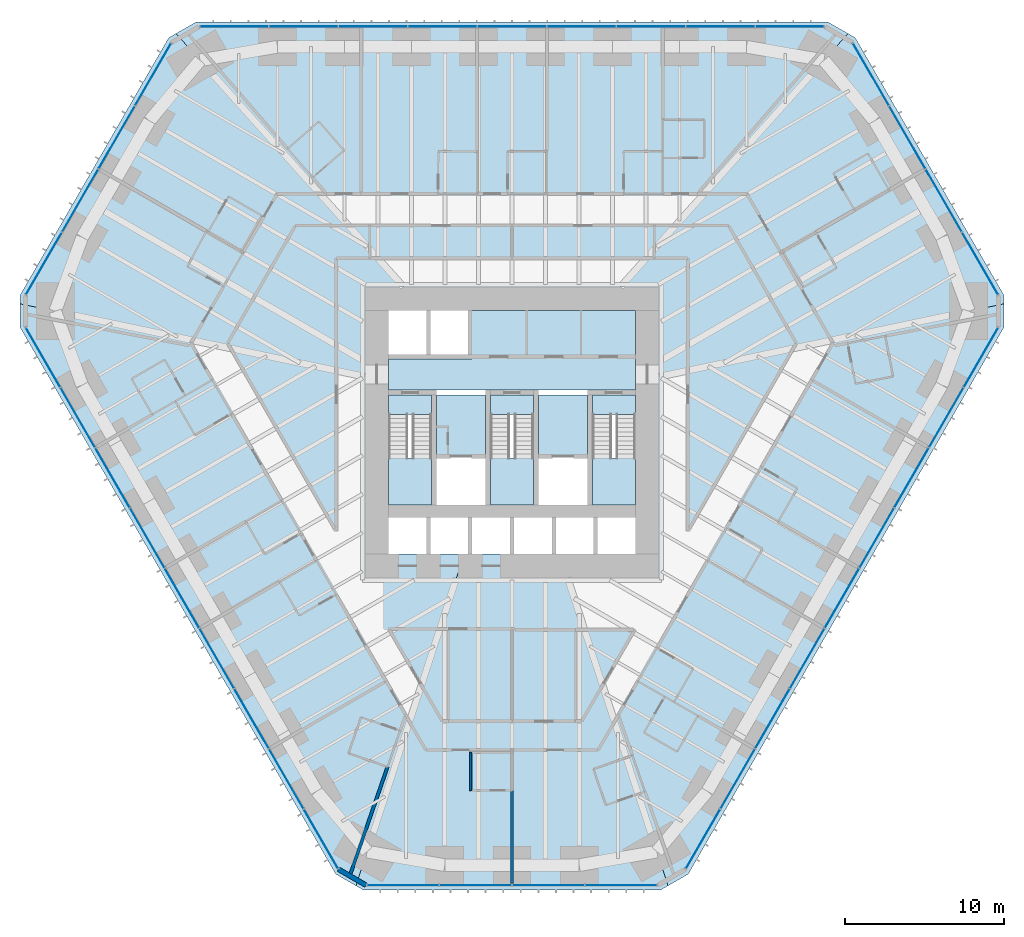
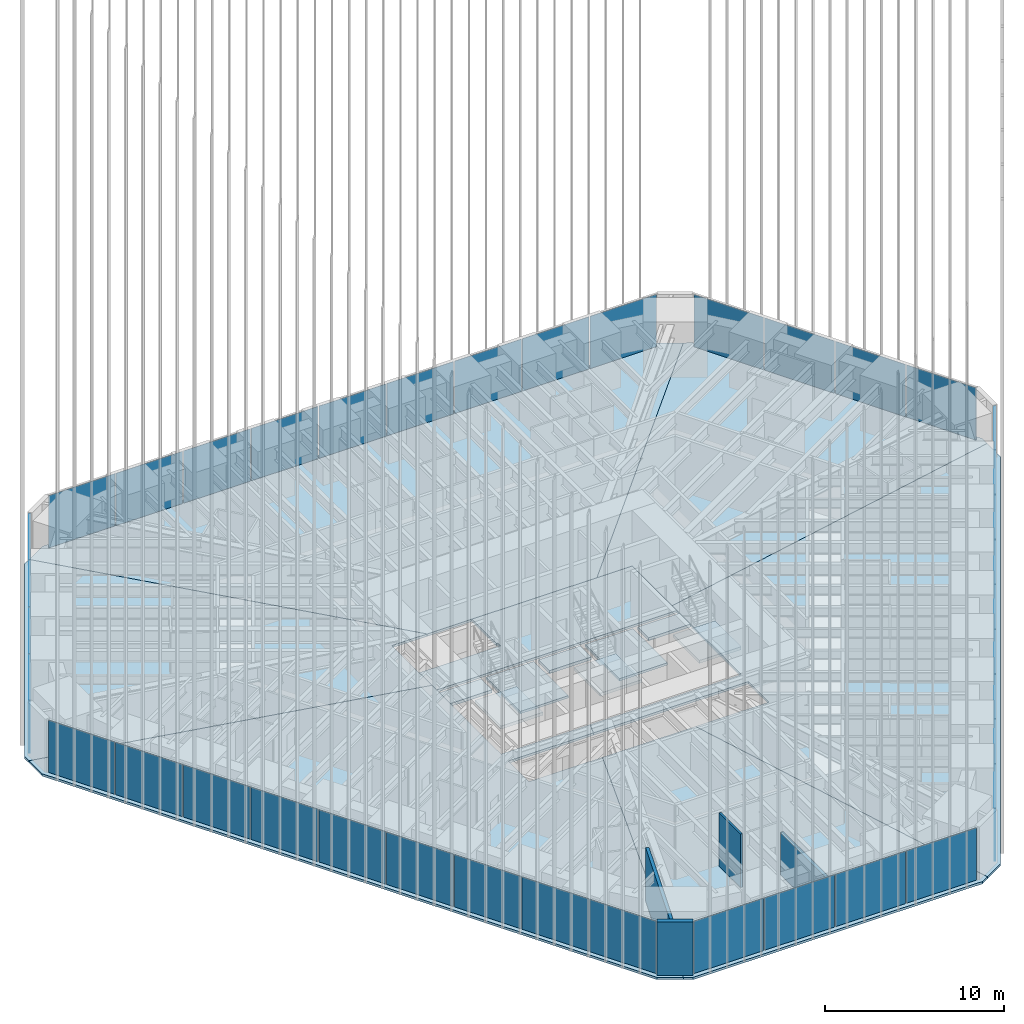
# One storey, part 249 of 256: 39 plates, 15 slabs, 4 walls, 9 elements without a shape of their own.
"""IFC4 building model written with IfcOpenShell, lengths in metres."""

from ifc_helpers import new_model, si_unit, direction, frame, frame_2d, origin, origin_2d, place, context, subcontext, project, spatial, polyline, rectangle, outline, extrude, material, layer, layer_set, type_object, element, aggregate, save


model = new_model("IFC4")

# Units and contexts
model_context = context("Model", 3, precision=1e-05, world=origin(), true_north=direction((0.0, 1.0)))
body_context = subcontext(model_context, "Body", "Model", "MODEL_VIEW")
ifc_project = project(units=[si_unit("LENGTHUNIT", "METRE"), si_unit("AREAUNIT", "SQUARE_METRE"), si_unit("VOLUMEUNIT", "CUBIC_METRE"), si_unit("PLANEANGLEUNIT", "RADIAN"), si_unit("MASSUNIT", "GRAM", prefix="KILO")], contexts=[model_context])

# Site, building, storey
site_placement = place(None, origin())
site = spatial("IfcSite", under=ifc_project, at=site_placement, CompositionType="ELEMENT")
building_placement = place(site_placement, origin())
building = spatial("IfcBuilding", under=site, at=building_placement, Name="Sandreach Pilgrim Tower", CompositionType="ELEMENT")
storey_placement = place(building_placement, frame((0.0, 0.0, 23.0)))
storey = spatial("IfcBuildingStorey", under=building, at=storey_placement, Name="L04", CompositionType="ELEMENT", Elevation=23.0)

# Curtain wall, plates
ifc_material_1 = material(Name="Aluminium framed curtain wall", Category="aluminium")
curtain_wall_type = type_object("IfcCurtainWallType", Name="Hostel tower curtain wall", PredefinedType="NOTDEFINED", material=ifc_material_1)
curtain_wall_1_placement = place(storey_placement, origin())
curtain_wall_1 = element("IfcCurtainWall", 1, at=curtain_wall_1_placement, inside=storey, type_object=curtain_wall_type, Name="CW-1 L04 N", PredefinedType="NOTDEFINED")
ifc_material_2 = material(Name="Insulating glass unit 6 heat-strengthened + 12 argon + 6 heat-strengthened", Category="glass")
ifc_layer_1 = layer(ifc_material_2, 0.02392578125)
ifc_layer_set_1 = layer_set([ifc_layer_1], Name="CW-1 panel")
plate_type = type_object("IfcPlateType", Name="CW-1 panel", PredefinedType="CURTAIN_PANEL", material=ifc_layer_set_1)
plate_1_placement = place(storey_placement, frame((-17.469970703125, 23.94873046875, 0.0), z_axis=(0.0, 0.0, 1.0), x_axis=(1.0, 0.0, 0.0)))
plate_1 = element("IfcPlate", 2, at=plate_1_placement, type_object=plate_type, Name="CW-1 panel 1", PredefinedType="CURTAIN_PANEL", context=body_context, shape_type="SweptSolid", body=[
    extrude(rectangle(XDim=4.274169921875, YDim=0.02392578125, at=origin_2d()), origin(), (0.0, 0.0, 1.0), 3.570068359375),
])
plate_2_placement = place(storey_placement, frame((-13.11474609375, 23.94873046875, 0.0), z_axis=(0.0, 0.0, 1.0), x_axis=(1.0, 0.0, 0.0)))
plate_2 = element("IfcPlate", 3, at=plate_2_placement, type_object=plate_type, Name="CW-1 panel 2", PredefinedType="CURTAIN_PANEL", context=body_context, shape_type="SweptSolid", body=[
    extrude(rectangle(XDim=4.306640625, YDim=0.02392578125, at=origin_2d()), origin(), (0.0, 0.0, 1.0), 3.570068359375),
])
plate_3_placement = place(storey_placement, frame((-8.7431640625, 23.94873046875, 0.0), z_axis=(0.0, 0.0, 1.0), x_axis=(1.0, 0.0, 0.0)))
plate_3 = element("IfcPlate", 4, at=plate_3_placement, type_object=plate_type, Name="CW-1 panel 3", PredefinedType="CURTAIN_PANEL", context=body_context, shape_type="SweptSolid", body=[
    extrude(rectangle(XDim=4.306640625, YDim=0.02392578125, at=origin_2d()), origin(), (0.0, 0.0, 1.0), 3.570068359375),
])
plate_4_placement = place(storey_placement, frame((-4.37158203125, 23.94873046875, 0.0), z_axis=(0.0, 0.0, 1.0), x_axis=(1.0, 0.0, 0.0)))
plate_4 = element("IfcPlate", 5, at=plate_4_placement, type_object=plate_type, Name="CW-1 panel 4", PredefinedType="CURTAIN_PANEL", context=body_context, shape_type="SweptSolid", body=[
    extrude(rectangle(XDim=4.306640625, YDim=0.02392578125, at=origin_2d()), origin(), (0.0, 0.0, 1.0), 3.570068359375),
])
plate_5_placement = place(storey_placement, frame((0.0, 23.94873046875, 0.0), z_axis=(0.0, 0.0, 1.0), x_axis=(1.0, 0.0, 0.0)))
plate_5 = element("IfcPlate", 6, at=plate_5_placement, type_object=plate_type, Name="CW-1 panel 5", PredefinedType="CURTAIN_PANEL", context=body_context, shape_type="SweptSolid", body=[
    extrude(rectangle(XDim=4.306640625, YDim=0.02392578125, at=origin_2d()), origin(), (0.0, 0.0, 1.0), 3.570068359375),
])
plate_6_placement = place(storey_placement, frame((4.37158203125, 23.94873046875, 0.0), z_axis=(0.0, 0.0, 1.0), x_axis=(1.0, 0.0, 0.0)))
plate_6 = element("IfcPlate", 7, at=plate_6_placement, type_object=plate_type, Name="CW-1 panel 6", PredefinedType="CURTAIN_PANEL", context=body_context, shape_type="SweptSolid", body=[
    extrude(rectangle(XDim=4.306640625, YDim=0.02392578125, at=origin_2d()), origin(), (0.0, 0.0, 1.0), 3.570068359375),
])
plate_7_placement = place(storey_placement, frame((8.7431640625, 23.94873046875, 0.0), z_axis=(0.0, 0.0, 1.0), x_axis=(1.0, 0.0, 0.0)))
plate_7 = element("IfcPlate", 8, at=plate_7_placement, type_object=plate_type, Name="CW-1 panel 7", PredefinedType="CURTAIN_PANEL", context=body_context, shape_type="SweptSolid", body=[
    extrude(rectangle(XDim=4.306640625, YDim=0.02392578125, at=origin_2d()), origin(), (0.0, 0.0, 1.0), 3.570068359375),
])
plate_8_placement = place(storey_placement, frame((13.11474609375, 23.94873046875, 0.0), z_axis=(0.0, 0.0, 1.0), x_axis=(1.0, 0.0, 0.0)))
plate_8 = element("IfcPlate", 9, at=plate_8_placement, type_object=plate_type, Name="CW-1 panel 8", PredefinedType="CURTAIN_PANEL", context=body_context, shape_type="SweptSolid", body=[
    extrude(rectangle(XDim=4.306640625, YDim=0.02392578125, at=origin_2d()), origin(), (0.0, 0.0, 1.0), 3.570068359375),
])
plate_9_placement = place(storey_placement, frame((17.469970703125, 23.94873046875, 0.0), z_axis=(0.0, 0.0, 1.0), x_axis=(1.0, 0.0, 0.0)))
plate_9 = element("IfcPlate", 10, at=plate_9_placement, type_object=plate_type, Name="CW-1 panel 9", PredefinedType="CURTAIN_PANEL", context=body_context, shape_type="SweptSolid", body=[
    extrude(rectangle(XDim=4.274169921875, YDim=0.02392578125, at=origin_2d()), origin(), (0.0, 0.0, 1.0), 3.570068359375),
])
aggregate(curtain_wall_1, [plate_1, plate_2, plate_3, plate_4, plate_5, plate_6, plate_7, plate_8, plate_9])

curtain_wall_2_placement = place(storey_placement, origin())
curtain_wall_2 = element("IfcCurtainWall", 11, at=curtain_wall_2_placement, inside=storey, type_object=curtain_wall_type, Name="CW-1 L04 NE", PredefinedType="NOTDEFINED")
plate_10_placement = place(storey_placement, frame((22.558837890625, 20.94873046875, 0.0), z_axis=(0.0, 0.0, 1.0), x_axis=(0.5, -0.866025403784, 0.0)))
plate_10 = element("IfcPlate", 12, at=plate_10_placement, type_object=plate_type, Name="CW-1 panel 1", PredefinedType="CURTAIN_PANEL", context=body_context, shape_type="SweptSolid", body=[
    extrude(rectangle(XDim=4.488525390625, YDim=0.02392578125, at=origin_2d()), origin(), (0.0, 0.0, 1.0), 3.570068359375),
])
plate_11_placement = place(storey_placement, frame((24.84375, 16.9912109375, 0.0), z_axis=(0.0, 0.0, 1.0), x_axis=(0.5, -0.866025403784, 0.0)))
plate_11 = element("IfcPlate", 13, at=plate_11_placement, type_object=plate_type, Name="CW-1 panel 2", PredefinedType="CURTAIN_PANEL", context=body_context, shape_type="SweptSolid", body=[
    extrude(rectangle(XDim=4.52099609375, YDim=0.02392578125, at=origin_2d()), origin(), (0.0, 0.0, 1.0), 3.570068359375),
])
plate_12_placement = place(storey_placement, frame((27.13671875, 13.01953125, 0.0), z_axis=(0.0, 0.0, 1.0), x_axis=(0.5, -0.866025403784, 0.0)))
plate_12 = element("IfcPlate", 14, at=plate_12_placement, type_object=plate_type, Name="CW-1 panel 3", PredefinedType="CURTAIN_PANEL", context=body_context, shape_type="SweptSolid", body=[
    extrude(rectangle(XDim=4.52099609375, YDim=0.02392578125, at=origin_2d()), origin(), (0.0, 0.0, 1.0), 3.570068359375),
])
plate_13_placement = place(storey_placement, frame((29.421630859375, 9.06201171875, 0.0), z_axis=(0.0, 0.0, 1.0), x_axis=(0.5, -0.866025403784, 0.0)))
plate_13 = element("IfcPlate", 15, at=plate_13_placement, type_object=plate_type, Name="CW-1 panel 4", PredefinedType="CURTAIN_PANEL", context=body_context, shape_type="SweptSolid", body=[
    extrude(rectangle(XDim=4.488525390625, YDim=0.02392578125, at=origin_2d()), origin(), (0.0, 0.0, 1.0), 3.570068359375),
])
aggregate(curtain_wall_2, [plate_10, plate_11, plate_12, plate_13])

curtain_wall_3_placement = place(storey_placement, origin())
curtain_wall_3 = element("IfcCurtainWall", 16, at=curtain_wall_3_placement, inside=storey, type_object=curtain_wall_type, Name="CW-1 L04 SE", PredefinedType="NOTDEFINED")
plate_14_placement = place(storey_placement, frame((29.475341796875, 3.1552734375, 0.0), z_axis=(0.0, 0.0, 1.0), x_axis=(-0.5, -0.866025403784, 0.0)))
plate_14 = element("IfcPlate", 17, at=plate_14_placement, type_object=plate_type, Name="CW-1 panel 1", PredefinedType="CURTAIN_PANEL", context=body_context, shape_type="SweptSolid", body=[
    extrude(rectangle(XDim=4.274169921875, YDim=0.02392578125, at=origin_2d()), origin(), (0.0, 0.0, 1.0), 3.570068359375),
])
plate_15_placement = place(storey_placement, frame((27.297607421875, -0.61669921875, 0.0), z_axis=(0.0, 0.0, 1.0), x_axis=(-0.5, -0.866025403784, 0.0)))
plate_15 = element("IfcPlate", 18, at=plate_15_placement, type_object=plate_type, Name="CW-1 panel 2", PredefinedType="CURTAIN_PANEL", context=body_context, shape_type="SweptSolid", body=[
    extrude(rectangle(XDim=4.306640625, YDim=0.02392578125, at=origin_2d()), origin(), (0.0, 0.0, 1.0), 3.570068359375),
])
plate_16_placement = place(storey_placement, frame((25.11181640625, -4.402587890625, 0.0), z_axis=(0.0, 0.0, 1.0), x_axis=(-0.5, -0.866025403784, 0.0)))
plate_16 = element("IfcPlate", 19, at=plate_16_placement, type_object=plate_type, Name="CW-1 panel 3", PredefinedType="CURTAIN_PANEL", context=body_context, shape_type="SweptSolid", body=[
    extrude(rectangle(XDim=4.306640625, YDim=0.02392578125, at=origin_2d()), origin(), (0.0, 0.0, 1.0), 3.570068359375),
])
plate_17_placement = place(storey_placement, frame((22.926025390625, -8.1884765625, 0.0), z_axis=(0.0, 0.0, 1.0), x_axis=(-0.5, -0.866025403784, 0.0)))
plate_17 = element("IfcPlate", 20, at=plate_17_placement, type_object=plate_type, Name="CW-1 panel 4", PredefinedType="CURTAIN_PANEL", context=body_context, shape_type="SweptSolid", body=[
    extrude(rectangle(XDim=4.306640625, YDim=0.02392578125, at=origin_2d()), origin(), (0.0, 0.0, 1.0), 3.570068359375),
])
plate_18_placement = place(storey_placement, frame((20.740234375, -11.974365234375, 0.0), z_axis=(0.0, 0.0, 1.0), x_axis=(-0.5, -0.866025403784, 0.0)))
plate_18 = element("IfcPlate", 21, at=plate_18_placement, type_object=plate_type, Name="CW-1 panel 5", PredefinedType="CURTAIN_PANEL", context=body_context, shape_type="SweptSolid", body=[
    extrude(rectangle(XDim=4.306640625, YDim=0.02392578125, at=origin_2d()), origin(), (0.0, 0.0, 1.0), 3.570068359375),
])
plate_19_placement = place(storey_placement, frame((18.554443359375, -15.76025390625, 0.0), z_axis=(0.0, 0.0, 1.0), x_axis=(-0.5, -0.866025403784, 0.0)))
plate_19 = element("IfcPlate", 22, at=plate_19_placement, type_object=plate_type, Name="CW-1 panel 6", PredefinedType="CURTAIN_PANEL", context=body_context, shape_type="SweptSolid", body=[
    extrude(rectangle(XDim=4.306640625, YDim=0.02392578125, at=origin_2d()), origin(), (0.0, 0.0, 1.0), 3.570068359375),
])
plate_20_placement = place(storey_placement, frame((16.36865234375, -19.546142578125, 0.0), z_axis=(0.0, 0.0, 1.0), x_axis=(-0.5, -0.866025403784, 0.0)))
plate_20 = element("IfcPlate", 23, at=plate_20_placement, type_object=plate_type, Name="CW-1 panel 7", PredefinedType="CURTAIN_PANEL", context=body_context, shape_type="SweptSolid", body=[
    extrude(rectangle(XDim=4.306640625, YDim=0.02392578125, at=origin_2d()), origin(), (0.0, 0.0, 1.0), 3.570068359375),
])
plate_21_placement = place(storey_placement, frame((14.182861328125, -23.33203125, 0.0), z_axis=(0.0, 0.0, 1.0), x_axis=(-0.5, -0.866025403784, 0.0)))
plate_21 = element("IfcPlate", 24, at=plate_21_placement, type_object=plate_type, Name="CW-1 panel 8", PredefinedType="CURTAIN_PANEL", context=body_context, shape_type="SweptSolid", body=[
    extrude(rectangle(XDim=4.306640625, YDim=0.02392578125, at=origin_2d()), origin(), (0.0, 0.0, 1.0), 3.570068359375),
])
plate_22_placement = place(storey_placement, frame((12.005126953125, -27.103759765625, 0.0), z_axis=(0.0, 0.0, 1.0), x_axis=(-0.5, -0.866025403784, 0.0)))
plate_22 = element("IfcPlate", 25, at=plate_22_placement, type_object=plate_type, Name="CW-1 panel 9", PredefinedType="CURTAIN_PANEL", context=body_context, shape_type="SweptSolid", body=[
    extrude(rectangle(XDim=4.274169921875, YDim=0.02392578125, at=origin_2d()), origin(), (0.0, 0.0, 1.0), 3.570068359375),
])
aggregate(curtain_wall_3, [plate_14, plate_15, plate_16, plate_17, plate_18, plate_19, plate_20, plate_21, plate_22])

curtain_wall_4_placement = place(storey_placement, origin())
curtain_wall_4 = element("IfcCurtainWall", 26, at=curtain_wall_4_placement, inside=storey, type_object=curtain_wall_type, Name="CW-1 L04 S", PredefinedType="NOTDEFINED")
plate_23_placement = place(storey_placement, frame((6.86279296875, -30.010986328125, 0.0), z_axis=(0.0, 0.0, 1.0), x_axis=(-1.0, 0.0, 0.0)))
plate_23 = element("IfcPlate", 27, at=plate_23_placement, type_object=plate_type, Name="CW-1 panel 1", PredefinedType="CURTAIN_PANEL", context=body_context, shape_type="SweptSolid", body=[
    extrude(rectangle(XDim=4.488525390625, YDim=0.02392578125, at=origin_2d()), origin(), (0.0, 0.0, 1.0), 3.570068359375),
])
plate_24_placement = place(storey_placement, frame((2.29296875, -30.010986328125, 0.0), z_axis=(0.0, 0.0, 1.0), x_axis=(-1.0, 0.0, 0.0)))
plate_24 = element("IfcPlate", 28, at=plate_24_placement, type_object=plate_type, Name="CW-1 panel 2", PredefinedType="CURTAIN_PANEL", context=body_context, shape_type="SweptSolid", body=[
    extrude(rectangle(XDim=4.52099609375, YDim=0.02392578125, at=origin_2d()), origin(), (0.0, 0.0, 1.0), 3.570068359375),
])
plate_25_placement = place(storey_placement, frame((-2.29296875, -30.010986328125, 0.0), z_axis=(0.0, 0.0, 1.0), x_axis=(-1.0, 0.0, 0.0)))
plate_25 = element("IfcPlate", 29, at=plate_25_placement, type_object=plate_type, Name="CW-1 panel 3", PredefinedType="CURTAIN_PANEL", context=body_context, shape_type="SweptSolid", body=[
    extrude(rectangle(XDim=4.52099609375, YDim=0.02392578125, at=origin_2d()), origin(), (0.0, 0.0, 1.0), 3.570068359375),
])
plate_26_placement = place(storey_placement, frame((-6.86279296875, -30.010986328125, 0.0), z_axis=(0.0, 0.0, 1.0), x_axis=(-1.0, 0.0, 0.0)))
plate_26 = element("IfcPlate", 30, at=plate_26_placement, type_object=plate_type, Name="CW-1 panel 4", PredefinedType="CURTAIN_PANEL", context=body_context, shape_type="SweptSolid", body=[
    extrude(rectangle(XDim=4.488525390625, YDim=0.02392578125, at=origin_2d()), origin(), (0.0, 0.0, 1.0), 3.570068359375),
])
aggregate(curtain_wall_4, [plate_23, plate_24, plate_25, plate_26])

curtain_wall_5_placement = place(storey_placement, origin())
curtain_wall_5 = element("IfcCurtainWall", 31, at=curtain_wall_5_placement, inside=storey, type_object=curtain_wall_type, Name="CW-1 L04 SW", PredefinedType="NOTDEFINED")
plate_27_placement = place(storey_placement, frame((-12.005126953125, -27.103759765625, 0.0), z_axis=(0.0, 0.0, 1.0), x_axis=(-0.5, 0.866025403784, 0.0)))
plate_27 = element("IfcPlate", 32, at=plate_27_placement, type_object=plate_type, Name="CW-1 panel 1", PredefinedType="CURTAIN_PANEL", context=body_context, shape_type="SweptSolid", body=[
    extrude(rectangle(XDim=4.274169921875, YDim=0.02392578125, at=origin_2d()), origin(), (0.0, 0.0, 1.0), 3.570068359375),
])
plate_28_placement = place(storey_placement, frame((-14.182861328125, -23.33203125, 0.0), z_axis=(0.0, 0.0, 1.0), x_axis=(-0.5, 0.866025403784, 0.0)))
plate_28 = element("IfcPlate", 33, at=plate_28_placement, type_object=plate_type, Name="CW-1 panel 2", PredefinedType="CURTAIN_PANEL", context=body_context, shape_type="SweptSolid", body=[
    extrude(rectangle(XDim=4.306640625, YDim=0.02392578125, at=origin_2d()), origin(), (0.0, 0.0, 1.0), 3.570068359375),
])
plate_29_placement = place(storey_placement, frame((-16.36865234375, -19.546142578125, 0.0), z_axis=(0.0, 0.0, 1.0), x_axis=(-0.5, 0.866025403784, 0.0)))
plate_29 = element("IfcPlate", 34, at=plate_29_placement, type_object=plate_type, Name="CW-1 panel 3", PredefinedType="CURTAIN_PANEL", context=body_context, shape_type="SweptSolid", body=[
    extrude(rectangle(XDim=4.306640625, YDim=0.02392578125, at=origin_2d()), origin(), (0.0, 0.0, 1.0), 3.570068359375),
])
plate_30_placement = place(storey_placement, frame((-18.554443359375, -15.76025390625, 0.0), z_axis=(0.0, 0.0, 1.0), x_axis=(-0.5, 0.866025403784, 0.0)))
plate_30 = element("IfcPlate", 35, at=plate_30_placement, type_object=plate_type, Name="CW-1 panel 4", PredefinedType="CURTAIN_PANEL", context=body_context, shape_type="SweptSolid", body=[
    extrude(rectangle(XDim=4.306640625, YDim=0.02392578125, at=origin_2d()), origin(), (0.0, 0.0, 1.0), 3.570068359375),
])
plate_31_placement = place(storey_placement, frame((-20.740234375, -11.974365234375, 0.0), z_axis=(0.0, 0.0, 1.0), x_axis=(-0.5, 0.866025403784, 0.0)))
plate_31 = element("IfcPlate", 36, at=plate_31_placement, type_object=plate_type, Name="CW-1 panel 5", PredefinedType="CURTAIN_PANEL", context=body_context, shape_type="SweptSolid", body=[
    extrude(rectangle(XDim=4.306640625, YDim=0.02392578125, at=origin_2d()), origin(), (0.0, 0.0, 1.0), 3.570068359375),
])
plate_32_placement = place(storey_placement, frame((-22.926025390625, -8.1884765625, 0.0), z_axis=(0.0, 0.0, 1.0), x_axis=(-0.5, 0.866025403784, 0.0)))
plate_32 = element("IfcPlate", 37, at=plate_32_placement, type_object=plate_type, Name="CW-1 panel 6", PredefinedType="CURTAIN_PANEL", context=body_context, shape_type="SweptSolid", body=[
    extrude(rectangle(XDim=4.306640625, YDim=0.02392578125, at=origin_2d()), origin(), (0.0, 0.0, 1.0), 3.570068359375),
])
plate_33_placement = place(storey_placement, frame((-25.11181640625, -4.402587890625, 0.0), z_axis=(0.0, 0.0, 1.0), x_axis=(-0.5, 0.866025403784, 0.0)))
plate_33 = element("IfcPlate", 38, at=plate_33_placement, type_object=plate_type, Name="CW-1 panel 7", PredefinedType="CURTAIN_PANEL", context=body_context, shape_type="SweptSolid", body=[
    extrude(rectangle(XDim=4.306640625, YDim=0.02392578125, at=origin_2d()), origin(), (0.0, 0.0, 1.0), 3.570068359375),
])
plate_34_placement = place(storey_placement, frame((-27.297607421875, -0.61669921875, 0.0), z_axis=(0.0, 0.0, 1.0), x_axis=(-0.5, 0.866025403784, 0.0)))
plate_34 = element("IfcPlate", 39, at=plate_34_placement, type_object=plate_type, Name="CW-1 panel 8", PredefinedType="CURTAIN_PANEL", context=body_context, shape_type="SweptSolid", body=[
    extrude(rectangle(XDim=4.306640625, YDim=0.02392578125, at=origin_2d()), origin(), (0.0, 0.0, 1.0), 3.570068359375),
])
plate_35_placement = place(storey_placement, frame((-29.475341796875, 3.1552734375, 0.0), z_axis=(0.0, 0.0, 1.0), x_axis=(-0.5, 0.866025403784, 0.0)))
plate_35 = element("IfcPlate", 40, at=plate_35_placement, type_object=plate_type, Name="CW-1 panel 9", PredefinedType="CURTAIN_PANEL", context=body_context, shape_type="SweptSolid", body=[
    extrude(rectangle(XDim=4.274169921875, YDim=0.02392578125, at=origin_2d()), origin(), (0.0, 0.0, 1.0), 3.570068359375),
])
aggregate(curtain_wall_5, [plate_27, plate_28, plate_29, plate_30, plate_31, plate_32, plate_33, plate_34, plate_35])

curtain_wall_6_placement = place(storey_placement, origin())
curtain_wall_6 = element("IfcCurtainWall", 41, at=curtain_wall_6_placement, inside=storey, type_object=curtain_wall_type, Name="CW-1 L04 NW", PredefinedType="NOTDEFINED")
plate_36_placement = place(storey_placement, frame((-29.421630859375, 9.06201171875, 0.0), z_axis=(0.0, 0.0, 1.0), x_axis=(0.5, 0.866025403784, 0.0)))
plate_36 = element("IfcPlate", 42, at=plate_36_placement, type_object=plate_type, Name="CW-1 panel 1", PredefinedType="CURTAIN_PANEL", context=body_context, shape_type="SweptSolid", body=[
    extrude(rectangle(XDim=4.488525390625, YDim=0.02392578125, at=origin_2d()), origin(), (0.0, 0.0, 1.0), 3.570068359375),
])
plate_37_placement = place(storey_placement, frame((-27.13671875, 13.01953125, 0.0), z_axis=(0.0, 0.0, 1.0), x_axis=(0.5, 0.866025403784, 0.0)))
plate_37 = element("IfcPlate", 43, at=plate_37_placement, type_object=plate_type, Name="CW-1 panel 2", PredefinedType="CURTAIN_PANEL", context=body_context, shape_type="SweptSolid", body=[
    extrude(rectangle(XDim=4.52099609375, YDim=0.02392578125, at=origin_2d()), origin(), (0.0, 0.0, 1.0), 3.570068359375),
])
plate_38_placement = place(storey_placement, frame((-24.84375, 16.9912109375, 0.0), z_axis=(0.0, 0.0, 1.0), x_axis=(0.5, 0.866025403784, 0.0)))
plate_38 = element("IfcPlate", 44, at=plate_38_placement, type_object=plate_type, Name="CW-1 panel 3", PredefinedType="CURTAIN_PANEL", context=body_context, shape_type="SweptSolid", body=[
    extrude(rectangle(XDim=4.52099609375, YDim=0.02392578125, at=origin_2d()), origin(), (0.0, 0.0, 1.0), 3.570068359375),
])
plate_39_placement = place(storey_placement, frame((-22.558837890625, 20.94873046875, 0.0), z_axis=(0.0, 0.0, 1.0), x_axis=(0.5, 0.866025403784, 0.0)))
plate_39 = element("IfcPlate", 45, at=plate_39_placement, type_object=plate_type, Name="CW-1 panel 4", PredefinedType="CURTAIN_PANEL", context=body_context, shape_type="SweptSolid", body=[
    extrude(rectangle(XDim=4.488525390625, YDim=0.02392578125, at=origin_2d()), origin(), (0.0, 0.0, 1.0), 3.570068359375),
])
aggregate(curtain_wall_6, [plate_36, plate_37, plate_38, plate_39])

# Slabs
ifc_material_3 = material(Name="Concrete 8000 psi", Category="concrete")
ifc_layer_2 = layer(ifc_material_3, 0.159912109375)
ifc_layer_set_2 = layer_set([ifc_layer_2], Name="Composite floor slab 160")
slab_type_1 = type_object("IfcSlabType", Name="Composite floor slab 160", PredefinedType="FLOOR", material=ifc_layer_set_2)
slab_1_placement = place(storey_placement, frame((0.0, 0.0, -0.159912109375)))
element("IfcSlab", 46, at=slab_1_placement, inside=storey, type_object=slab_type_1, Name="Floor slab L04 N sector", PredefinedType="FLOOR", context=body_context, shape_type="SweptSolid", body=[
    extrude(outline(polyline([(-19.84521484375, 24.248779296875), (19.84521484375, 24.248779296875), (21.115478515625, 23.515380859375), (5.477294921875, 6.10009765625), (-5.477294921875, 6.10009765625), (-21.115478515625, 23.515380859375), (-19.84521484375, 24.248779296875)])), origin(), (0.0, 0.0, 1.0), 0.159912109375),
])
slab_2_placement = place(storey_placement, frame((0.0, 0.0, -0.159912109375)))
element("IfcSlab", 47, at=slab_2_placement, inside=storey, type_object=slab_type_1, Name="Floor slab L04 NE sector", PredefinedType="FLOOR", context=body_context, shape_type="SweptSolid", body=[
    extrude(outline(polyline([(21.577392578125, 23.248779296875), (30.922607421875, 7.062255859375), (30.922607421875, 6.52880859375), (7.75, 1.63623046875), (7.75, 6.10009765625), (5.477294921875, 6.10009765625), (21.115478515625, 23.515380859375), (21.577392578125, 23.248779296875)])), origin(), (0.0, 0.0, 1.0), 0.159912109375),
])
slab_3_placement = place(storey_placement, frame((0.0, 0.0, -0.159912109375)))
element("IfcSlab", 48, at=slab_3_placement, inside=storey, type_object=slab_type_1, Name="Floor slab L04 SE sector", PredefinedType="FLOOR", context=body_context, shape_type="SweptSolid", body=[
    extrude(outline(polyline([(11.077392578125, -29.310791015625), (9.80712890625, -30.044189453125), (3.003173828125, -9.199951171875), (7.75, -9.199951171875), (7.75, -6.89990234375), (-2.252197265625, -6.89990234375), (-1.9912109375, -6.10009765625), (7.75, -6.10009765625), (7.75, 1.63623046875), (30.922607421875, 6.52880859375), (30.922607421875, 5.062255859375), (11.077392578125, -29.310791015625)])), origin(), (0.0, 0.0, 1.0), 0.159912109375),
])
slab_4_placement = place(storey_placement, frame((0.0, 0.0, -0.159912109375)))
element("IfcSlab", 49, at=slab_4_placement, inside=storey, type_object=slab_type_1, Name="Floor slab L04 S sector", PredefinedType="FLOOR", context=body_context, shape_type="SweptSolid", body=[
    extrude(outline(polyline([(9.34521484375, -30.310791015625), (-9.34521484375, -30.310791015625), (-9.80712890625, -30.044189453125), (-3.003173828125, -9.199951171875), (3.003173828125, -9.199951171875), (9.80712890625, -30.044189453125), (9.34521484375, -30.310791015625)])), origin(), (0.0, 0.0, 1.0), 0.159912109375),
])
slab_5_placement = place(storey_placement, frame((0.0, 0.0, -0.159912109375)))
element("IfcSlab", 50, at=slab_5_placement, inside=storey, type_object=slab_type_1, Name="Floor slab L04 SW sector", PredefinedType="FLOOR", context=body_context, shape_type="SweptSolid", body=[
    extrude(outline(polyline([(-11.077392578125, -29.310791015625), (-30.922607421875, 5.062255859375), (-30.922607421875, 6.52880859375), (-7.75, 1.63623046875), (-7.75, -6.10009765625), (-1.9912109375, -6.10009765625), (-2.252197265625, -6.89990234375), (-7.75, -6.89990234375), (-7.75, -9.199951171875), (-3.003173828125, -9.199951171875), (-9.80712890625, -30.044189453125), (-11.077392578125, -29.310791015625)])), origin(), (0.0, 0.0, 1.0), 0.159912109375),
])
slab_6_placement = place(storey_placement, frame((0.0, 0.0, -0.159912109375)))
element("IfcSlab", 51, at=slab_6_placement, inside=storey, type_object=slab_type_1, Name="Floor slab L04 NW sector", PredefinedType="FLOOR", context=body_context, shape_type="SweptSolid", body=[
    extrude(outline(polyline([(-30.922607421875, 7.062255859375), (-21.577392578125, 23.248779296875), (-21.115478515625, 23.515380859375), (-5.477294921875, 6.10009765625), (-7.75, 6.10009765625), (-7.75, 1.63623046875), (-30.922607421875, 6.52880859375), (-30.922607421875, 7.062255859375)])), origin(), (0.0, 0.0, 1.0), 0.159912109375),
])
slab_7_placement = place(storey_placement, frame((0.0, 0.0, -0.159912109375)))
element("IfcSlab", 52, at=slab_7_placement, inside=storey, type_object=slab_type_1, Name="Core floor slab and stores L04", PredefinedType="FLOOR", context=body_context, shape_type="SweptSolid", body=[
    extrude(outline(polyline([(-7.75, 3.050048828125), (-5.375, 3.050048828125), (-5.125, 3.050048828125), (-2.5, 3.050048828125), (-2.5, 3.35009765625), (-2.60009765625, 3.35009765625), (-2.60009765625, 6.10009765625), (7.75, 6.10009765625), (7.75, 1.10009765625), (5.050048828125, 1.10009765625), (4.75, 1.10009765625), (1.64990234375, 1.10009765625), (1.35009765625, 1.10009765625), (-1.35009765625, 1.10009765625), (-1.64990234375, 1.10009765625), (-4.75, 1.10009765625), (-5.050048828125, 1.10009765625), (-7.75, 1.10009765625), (-7.75, 3.050048828125)])), origin(), (0.0, 0.0, 1.0), 0.159912109375),
])
slab_8_placement = place(storey_placement, frame((0.0, 0.0, -0.159912109375)))
element("IfcSlab", 53, at=slab_8_placement, inside=storey, type_object=slab_type_1, Name="Core floor slab and stores L04 2", PredefinedType="FLOOR", context=body_context, shape_type="SweptSolid", body=[
    extrude(outline(polyline([(-1.64990234375, -3.050048828125), (-4.75, -3.050048828125), (-4.75, 0.800048828125), (-1.64990234375, 0.800048828125), (-1.64990234375, -3.050048828125)])), origin(), (0.0, 0.0, 1.0), 0.159912109375),
])
slab_9_placement = place(storey_placement, frame((0.0, 0.0, -0.159912109375)))
element("IfcSlab", 54, at=slab_9_placement, inside=storey, type_object=slab_type_1, Name="Core floor slab and stores L04 3", PredefinedType="FLOOR", context=body_context, shape_type="SweptSolid", body=[
    extrude(outline(polyline([(4.75, -3.050048828125), (1.64990234375, -3.050048828125), (1.64990234375, 0.800048828125), (4.75, 0.800048828125), (4.75, -3.050048828125)])), origin(), (0.0, 0.0, 1.0), 0.159912109375),
])

# Stair, slabs
ifc_material_4 = material(Name="Concrete 8000 psi", Category="concrete")
stair_type = type_object("IfcStairType", Name="Core exit stair", PredefinedType="HALF_TURN_STAIR", material=ifc_material_4)
stair_1_placement = place(storey_placement, origin())
stair_1 = element("IfcStair", 55, at=stair_1_placement, inside=storey, type_object=stair_type, Name="Exit stair ST1 L04", PredefinedType="HALF_TURN_STAIR")
ifc_material_5 = material(Name="Concrete 8000 psi", Category="concrete")
ifc_layer_3 = layer(ifc_material_5, 0.199951171875)
ifc_layer_set_3 = layer_set([ifc_layer_3], Name="Core stair landing 200")
slab_type_2 = type_object("IfcSlabType", Name="Core stair landing 200", PredefinedType="LANDING", material=ifc_layer_set_3)
slab_10_placement = place(storey_placement, frame((0.0, 0.0, -0.199951171875)))
slab_10 = element("IfcSlab", 56, at=slab_10_placement, type_object=slab_type_2, Name="ST1 landing 1", PredefinedType="LANDING", context=body_context, shape_type="SweptSolid", body=[
    extrude(outline(polyline([(-7.75, -0.425048828125), (-5.050048828125, -0.425048828125), (-5.050048828125, 0.800048828125), (-7.75, 0.800048828125), (-7.75, -0.425048828125)])), origin(), (0.0, 0.0, 1.0), 0.199951171875),
])
slab_11_placement = place(storey_placement, frame((0.0, 0.0, 1.699951171875)))
slab_11 = element("IfcSlab", 57, at=slab_11_placement, type_object=slab_type_2, Name="ST1 landing 2", PredefinedType="LANDING", context=body_context, shape_type="SweptSolid", body=[
    extrude(outline(polyline([(-7.75, -6.10009765625), (-5.050048828125, -6.10009765625), (-5.050048828125, -3.175048828125), (-7.75, -3.175048828125), (-7.75, -6.10009765625)])), origin(), (0.0, 0.0, 1.0), 0.199951171875),
])
aggregate(stair_1, [slab_10, slab_11])

stair_2_placement = place(storey_placement, origin())
stair_2 = element("IfcStair", 58, at=stair_2_placement, inside=storey, type_object=stair_type, Name="Exit stair ST3 L04", PredefinedType="HALF_TURN_STAIR")
slab_12_placement = place(storey_placement, frame((0.0, 0.0, -0.199951171875)))
slab_12 = element("IfcSlab", 59, at=slab_12_placement, type_object=slab_type_2, Name="ST3 landing 1", PredefinedType="LANDING", context=body_context, shape_type="SweptSolid", body=[
    extrude(outline(polyline([(-1.35009765625, -0.425048828125), (1.35009765625, -0.425048828125), (1.35009765625, 0.800048828125), (-1.35009765625, 0.800048828125), (-1.35009765625, -0.425048828125)])), origin(), (0.0, 0.0, 1.0), 0.199951171875),
])
slab_13_placement = place(storey_placement, frame((0.0, 0.0, 1.699951171875)))
slab_13 = element("IfcSlab", 60, at=slab_13_placement, type_object=slab_type_2, Name="ST3 landing 2", PredefinedType="LANDING", context=body_context, shape_type="SweptSolid", body=[
    extrude(outline(polyline([(-1.35009765625, -6.10009765625), (1.35009765625, -6.10009765625), (1.35009765625, -3.175048828125), (-1.35009765625, -3.175048828125), (-1.35009765625, -6.10009765625)])), origin(), (0.0, 0.0, 1.0), 0.199951171875),
])
aggregate(stair_2, [slab_12, slab_13])

stair_3_placement = place(storey_placement, origin())
stair_3 = element("IfcStair", 61, at=stair_3_placement, inside=storey, type_object=stair_type, Name="Exit stair ST2 L04", PredefinedType="HALF_TURN_STAIR")
slab_14_placement = place(storey_placement, frame((0.0, 0.0, -0.199951171875)))
slab_14 = element("IfcSlab", 62, at=slab_14_placement, type_object=slab_type_2, Name="ST2 landing 1", PredefinedType="LANDING", context=body_context, shape_type="SweptSolid", body=[
    extrude(outline(polyline([(5.050048828125, -0.425048828125), (7.75, -0.425048828125), (7.75, 0.800048828125), (5.050048828125, 0.800048828125), (5.050048828125, -0.425048828125)])), origin(), (0.0, 0.0, 1.0), 0.199951171875),
])
slab_15_placement = place(storey_placement, frame((0.0, 0.0, 1.699951171875)))
slab_15 = element("IfcSlab", 63, at=slab_15_placement, type_object=slab_type_2, Name="ST2 landing 2", PredefinedType="LANDING", context=body_context, shape_type="SweptSolid", body=[
    extrude(outline(polyline([(5.050048828125, -6.10009765625), (7.75, -6.10009765625), (7.75, -3.175048828125), (5.050048828125, -3.175048828125), (5.050048828125, -6.10009765625)])), origin(), (0.0, 0.0, 1.0), 0.199951171875),
])
aggregate(stair_3, [slab_14, slab_15])

# Walls
ifc_material_6 = material(Name="Moisture-resistant gypsum board on steel studs", Category="steel")
ifc_layer_4 = layer(ifc_material_6, 0.1201171875)
ifc_layer_set_4 = layer_set([ifc_layer_4], Name="Bathroom partition 120")
wall_type_1 = type_object("IfcWallType", Name="Bathroom partition 120", PredefinedType="PARTITIONING", material=ifc_layer_set_4)
wall_1_placement = place(storey_placement, frame((-2.60009765625, -21.659912109375, 0.0), z_axis=(0.0, 0.0, 1.0), x_axis=(0.0, -1.0, 0.0)))
element("IfcWall", 64, at=wall_1_placement, inside=storey, type_object=wall_type_1, Name="Bathroom partition L04-070", PredefinedType="PARTITIONING", context=body_context, shape_type="SweptSolid", body=[
    extrude(rectangle(XDim=2.400146484375, YDim=0.1201171875, at=frame_2d((1.2001953125, 0.0))), origin(), (0.0, 0.0, 1.0), 3.639892578125),
])
ifc_material_7 = material(Name="Double steel stud acoustic wall, gypsum board", Category="steel")
ifc_layer_5 = layer(ifc_material_7, 0.199951171875)
ifc_layer_set_5 = layer_set([ifc_layer_5], Name="Party wall 200")
wall_type_2 = type_object("IfcWallType", Name="Party wall 200", PredefinedType="PARTITIONING", material=ifc_layer_set_5)
wall_2_placement = place(storey_placement, frame((-10.2001953125, -29.441650390625, 0.0), z_axis=(0.0, 0.0, 1.0), x_axis=(0.327154379454, 0.944970905374, 0.0)))
element("IfcWall", 65, at=wall_2_placement, inside=storey, type_object=wall_type_2, Name="Party wall L04-051", PredefinedType="PARTITIONING", context=body_context, shape_type="SweptSolid", body=[
    extrude(rectangle(XDim=7.272216796875, YDim=0.199951171875, at=frame_2d((3.63623046875, 0.0))), origin(), (0.0, 0.0, 1.0), 3.639892578125),
])
wall_3_placement = place(storey_placement, frame((0.0, -29.889892578125, 0.0), z_axis=(0.0, 0.0, 1.0), x_axis=(0.0, 1.0, 0.0)))
element("IfcWall", 66, at=wall_3_placement, inside=storey, type_object=wall_type_2, Name="Party wall L04-077", PredefinedType="PARTITIONING", context=body_context, shape_type="SweptSolid", body=[
    extrude(rectangle(XDim=5.829833984375, YDim=0.199951171875, at=frame_2d((2.9150390625, 0.0))), origin(), (0.0, 0.0, 1.0), 2.860107421875),
])
ifc_material_8 = material(Name="Terracotta rainscreen on concrete", Category="masonry")
ifc_layer_6 = layer(ifc_material_8, 0.300048828125)
ifc_layer_set_6 = layer_set([ifc_layer_6], Name="Terracotta chamfer pier")
wall_type_3 = type_object("IfcWallType", Name="Terracotta chamfer pier", PredefinedType="SOLIDWALL", material=ifc_layer_set_6)
wall_4_placement = place(storey_placement, frame((-9.172119140625, -30.010986328125, 0.0), z_axis=(0.0, 0.0, 1.0), x_axis=(-0.866010750942, 0.50002537861, 0.0)))
element("IfcWall", 67, at=wall_4_placement, inside=storey, type_object=wall_type_3, Name="Chamfer pier L04 S", PredefinedType="SOLIDWALL", context=body_context, shape_type="SweptSolid", body=[
    extrude(rectangle(XDim=2.0, YDim=0.300048828125, at=frame_2d((1.0, 0.0))), origin(), (0.0, 0.0, 1.0), 3.639892578125),
])

save(model, "model.ifc")
